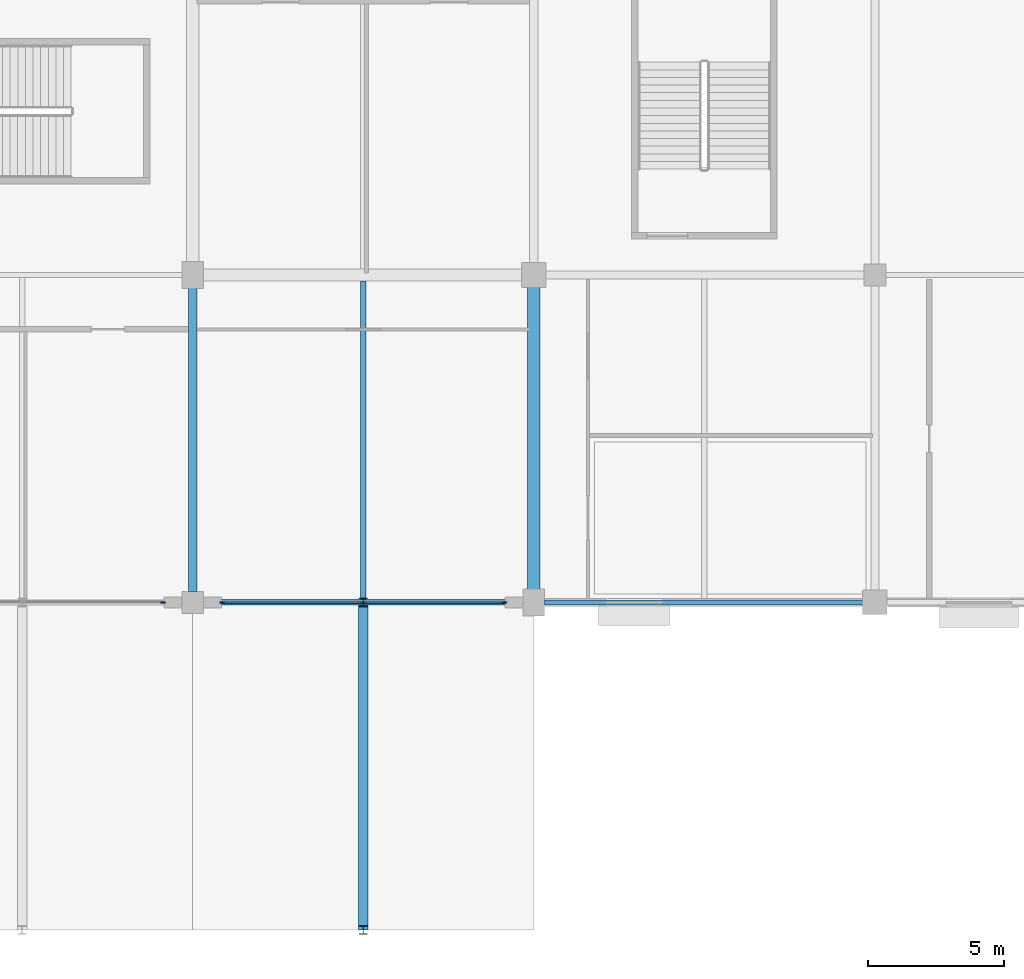
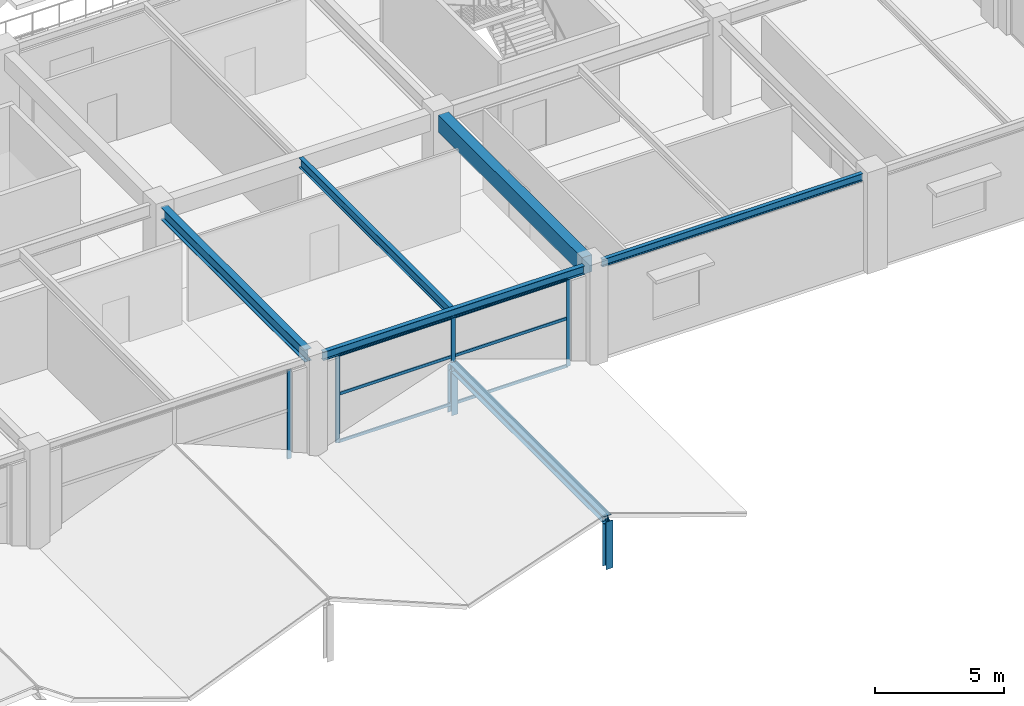
# One storey, part 31 of 134: 13 members, 5 beams, 2 elements without a shape of their own.
"""IFC4 building model written with IfcOpenShell, lengths in metres."""

from ifc_helpers import new_model, si_unit, direction, frame, origin, origin_2d, place, context, subcontext, project, spatial, rectangle, i_section, extrude, material, layer, layer_set, material_profile, profile_set, type_object, element, aggregate, save


model = new_model("IFC4")

# Units and contexts
model_context = context("Model", 3, precision=1e-05, world=origin(), true_north=direction((0.0, 1.0)))
body_context = subcontext(model_context, "Body", "Model", "MODEL_VIEW")
ifc_project = project(units=[si_unit("LENGTHUNIT", "METRE"), si_unit("AREAUNIT", "SQUARE_METRE"), si_unit("VOLUMEUNIT", "CUBIC_METRE"), si_unit("PLANEANGLEUNIT", "RADIAN"), si_unit("MASSUNIT", "GRAM", prefix="KILO")], contexts=[model_context])

# Site, building, storey
site_placement = place(None, origin())
site = spatial("IfcSite", under=ifc_project, at=site_placement, CompositionType="ELEMENT")
building_placement = place(site_placement, origin())
building = spatial("IfcBuilding", under=site, at=building_placement, Name="Kazenohara Klinker Stadium", CompositionType="ELEMENT")
storey_placement = place(building_placement, frame((0.0, 0.0, 5.39990234375)))
storey = spatial("IfcBuildingStorey", under=building, at=storey_placement, Name="L01", CompositionType="ELEMENT", Elevation=5.39990234375)

# Beams
ifc_material_1 = material(Name="Steel S355", Category="steel")
ifc_material_profile_1 = material_profile(ifc_material_1, i_section(OverallWidth=0.199951171875, OverallDepth=0.449951171875, WebThickness=0.009033203125, FlangeThickness=0.013916015625, FilletRadius=0.012939453125, at=origin_2d()), Name="H-450x200x9x14")
ifc_profile_set_1 = profile_set([ifc_material_profile_1], Name="Steel S355")
beam_type_1 = type_object("IfcBeamType", Name="BM-JST02", PredefinedType="JOIST", material=ifc_profile_set_1)
beam_1_placement = place(storey_placement, frame((168.75, 12.10009765625, 4.3251953125), z_axis=(0.0, 1.0, 0.0), x_axis=(-1.0, 0.0, 0.0)))
element("IfcBeam", 1, at=beam_1_placement, inside=storey, type_object=beam_type_1, Name="Secondary floor joist SJ02 L01 14/B", PredefinedType="JOIST", context=body_context, shape_type="SweptSolid", body=[
    extrude(i_section(OverallWidth=0.199951171875, OverallDepth=0.449951171875, WebThickness=0.009033203125, FlangeThickness=0.013916015625, FilletRadius=0.012939453125, at=origin_2d()), origin(), (0.0, 0.0, 1.0), 11.6748046875),
])
ifc_material_2 = material(Name="Concrete C40/50", Category="concrete")
ifc_material_profile_2 = material_profile(ifc_material_2, rectangle(XDim=0.449951171875, YDim=0.800048828125, at=origin_2d()), Name="RC-BM-450x800")
ifc_profile_set_2 = profile_set([ifc_material_profile_2], Name="Concrete C40/50")
beam_type_2 = type_object("IfcBeamType", Name="BM-RC03", PredefinedType="BEAM", material=ifc_profile_set_2)
beam_2_placement = place(storey_placement, frame((175.0, 12.419921875, 4.150146484375), z_axis=(0.0, 1.0, 0.0), x_axis=(-1.0, 0.0, 0.0)))
element("IfcBeam", 2, at=beam_2_placement, inside=storey, type_object=beam_type_2, Name="Primary girder BG03 L01 15/B-C", PredefinedType="BEAM", context=body_context, shape_type="SweptSolid", body=[
    extrude(rectangle(XDim=0.449951171875, YDim=0.800048828125, at=origin_2d()), origin(), (0.0, 0.0, 1.0), 11.16015625),
])
ifc_material_profile_3 = material_profile(ifc_material_1, i_section(OverallWidth=0.199951171875, OverallDepth=0.39990234375, WebThickness=0.008056640625, FlangeThickness=0.012939453125, FilletRadius=0.012939453125, at=origin_2d()), Name="H-400x200x8x13")
ifc_profile_set_3 = profile_set([ifc_material_profile_3], Name="Steel S355")
beam_type_3 = type_object("IfcBeamType", Name="BM-SPD01", PredefinedType="SPANDREL", material=ifc_profile_set_3)
beam_3_placement = place(storey_placement, frame((162.89990234375, 12.0, 4.35009765625), z_axis=(1.0, 0.0, 0.0), x_axis=(0.0, 1.0, 0.0)))
element("IfcBeam", 3, at=beam_3_placement, inside=storey, type_object=beam_type_3, Name="Primary girder SP01 L01 14-15/B", PredefinedType="SPANDREL", context=body_context, shape_type="SweptSolid", body=[
    extrude(i_section(OverallWidth=0.199951171875, OverallDepth=0.39990234375, WebThickness=0.008056640625, FlangeThickness=0.012939453125, FilletRadius=0.012939453125, at=origin_2d()), origin(), (0.0, 0.0, 1.0), 11.7001953125),
])
ifc_material_profile_4 = material_profile(ifc_material_1, i_section(OverallWidth=0.175048828125, OverallDepth=0.35009765625, WebThickness=0.007080078125, FlangeThickness=0.010986328125, FilletRadius=0.012939453125, at=origin_2d()), Name="H-350x175x7x11")
ifc_profile_set_4 = profile_set([ifc_material_profile_4], Name="Steel S355")
beam_type_4 = type_object("IfcBeamType", Name="BM-SPD02", PredefinedType="SPANDREL", material=ifc_profile_set_4)
beam_4_placement = place(storey_placement, frame((175.39990234375, 12.0, 4.375), z_axis=(1.0, 0.0, 0.0), x_axis=(0.0, 1.0, 0.0)))
element("IfcBeam", 4, at=beam_4_placement, inside=storey, type_object=beam_type_4, Name="Primary girder SP02 L01 15-16/B", PredefinedType="SPANDREL", context=body_context, shape_type="SweptSolid", body=[
    extrude(i_section(OverallWidth=0.175048828125, OverallDepth=0.35009765625, WebThickness=0.007080078125, FlangeThickness=0.010986328125, FilletRadius=0.012939453125, at=origin_2d()), origin(), (0.0, 0.0, 1.0), 11.68017578125),
])
ifc_material_profile_5 = material_profile(ifc_material_1, i_section(OverallWidth=0.300048828125, OverallDepth=0.587890625, WebThickness=0.011962890625, FlangeThickness=0.02001953125, FilletRadius=0.02197265625, at=origin_2d()), Name="H-588x300x12x20")
ifc_profile_set_5 = profile_set([ifc_material_profile_5], Name="Steel S355")
beam_type_5 = type_object("IfcBeamType", Name="BM-ST05", PredefinedType="BEAM", material=ifc_profile_set_5)
beam_5_placement = place(storey_placement, frame((162.5, 12.39990234375, 4.256103515625), z_axis=(0.0, 1.0, 0.0), x_axis=(-1.0, 0.0, 0.0)))
element("IfcBeam", 5, at=beam_5_placement, inside=storey, type_object=beam_type_5, Name="Primary girder SB05 L01 14/B-C", PredefinedType="BEAM", context=body_context, shape_type="SweptSolid", body=[
    extrude(i_section(OverallWidth=0.300048828125, OverallDepth=0.587890625, WebThickness=0.011962890625, FlangeThickness=0.02001953125, FilletRadius=0.02197265625, at=origin_2d()), origin(), (0.0, 0.0, 1.0), 11.18017578125),
])

# Curtain wall, member
ifc_material_3 = material(Name="Anodised aluminium and triple glazing", Category="aluminium")
ifc_layer_1 = layer(ifc_material_3, 0.169921875)
ifc_layer_set_1 = layer_set([ifc_layer_1], Name="Anodised aluminium and triple glazing")
curtain_wall_type_1 = type_object("IfcCurtainWallType", Name="CW-SYS-04", PredefinedType="USERDEFINED", material=ifc_layer_set_1)
curtain_wall_1_placement = place(storey_placement, origin())
curtain_wall_1 = element("IfcCurtainWall", 6, at=curtain_wall_1_placement, inside=storey, type_object=curtain_wall_type_1, Name="Unitised facade curtain wall CW04 L01 X12-1", ObjectType="UNITISED CURTAIN WALL", PredefinedType="USERDEFINED")
ifc_material_4 = material(Name="Anodised aluminium 6063-T6", Category="aluminium")
ifc_material_profile_6 = material_profile(ifc_material_4, rectangle(XDim=0.06494140625, YDim=0.179931640625, at=origin_2d()), Name="ALU-MUL-65x180")
ifc_profile_set_6 = profile_set([ifc_material_profile_6], Name="Anodised aluminium 6063-T6")
member_type_1 = type_object("IfcMemberType", Name="CW-MUL-180", PredefinedType="MULLION", material=ifc_profile_set_6)
member_1_placement = place(storey_placement, frame((161.41357421875, 12.0, 0.0), z_axis=(0.0, 0.0, 1.0), x_axis=(0.0, 1.0, 0.0)))
member_1 = element("IfcMember", 7, at=member_1_placement, type_object=member_type_1, Name="CW04 mullion 3", PredefinedType="MULLION", context=body_context, shape_type="SweptSolid", body=[
    extrude(rectangle(XDim=0.06494140625, YDim=0.179931640625, at=origin_2d()), origin(), (0.0, 0.0, 1.0), 4.2001953125),
])
aggregate(curtain_wall_1, [member_1])

# Curtain wall, members
ifc_layer_2 = layer(ifc_material_3, 0.159912109375)
ifc_layer_set_2 = layer_set([ifc_layer_2], Name="Anodised aluminium and triple glazing")
curtain_wall_type_2 = type_object("IfcCurtainWallType", Name="CW-SYS-01", PredefinedType="USERDEFINED", material=ifc_layer_set_2)
curtain_wall_2_placement = place(storey_placement, origin())
curtain_wall_2 = element("IfcCurtainWall", 8, at=curtain_wall_2_placement, inside=storey, type_object=curtain_wall_type_2, Name="Unitised facade curtain wall CW01 L01 X13-1", ObjectType="UNITISED CURTAIN WALL", PredefinedType="USERDEFINED")
member_2_placement = place(storey_placement, frame((163.58642578125, 12.0, 0.0), z_axis=(0.0, 0.0, 1.0), x_axis=(0.0, 1.0, 0.0)))
member_2 = element("IfcMember", 9, at=member_2_placement, type_object=member_type_1, Name="CW01 mullion 1", PredefinedType="MULLION", context=body_context, shape_type="SweptSolid", body=[
    extrude(rectangle(XDim=0.06494140625, YDim=0.179931640625, at=origin_2d()), origin(), (0.0, 0.0, 1.0), 4.150146484375),
])
member_3_placement = place(storey_placement, frame((168.75, 12.0, 0.0), z_axis=(0.0, 0.0, 1.0), x_axis=(0.0, 1.0, 0.0)))
member_3 = element("IfcMember", 10, at=member_3_placement, type_object=member_type_1, Name="CW01 mullion 2", PredefinedType="MULLION", context=body_context, shape_type="SweptSolid", body=[
    extrude(rectangle(XDim=0.06494140625, YDim=0.179931640625, at=origin_2d()), origin(), (0.0, 0.0, 1.0), 4.150146484375),
])
member_4_placement = place(storey_placement, frame((173.91357421875, 12.0, 0.0), z_axis=(0.0, 0.0, 1.0), x_axis=(0.0, 1.0, 0.0)))
member_4 = element("IfcMember", 11, at=member_4_placement, type_object=member_type_1, Name="CW01 mullion 3", PredefinedType="MULLION", context=body_context, shape_type="SweptSolid", body=[
    extrude(rectangle(XDim=0.06494140625, YDim=0.179931640625, at=origin_2d()), origin(), (0.0, 0.0, 1.0), 4.150146484375),
])
ifc_material_profile_7 = material_profile(ifc_material_4, rectangle(XDim=0.06494140625, YDim=0.139892578125, at=origin_2d()), Name="ALU-TRN-65x140")
ifc_profile_set_7 = profile_set([ifc_material_profile_7], Name="Anodised aluminium 6063-T6")
member_type_2 = type_object("IfcMemberType", Name="CW-TRN-140", PredefinedType="USERDEFINED", material=ifc_profile_set_7)
member_5_placement = place(storey_placement, frame((163.618896484375, 12.0, 0.03271484375), z_axis=(1.0, 0.0, 0.0), x_axis=(0.0, 1.0, 0.0)))
member_5 = element("IfcMember", 12, at=member_5_placement, type_object=member_type_2, Name="CW01 transom 1.1", ObjectType="TRANSOM", PredefinedType="USERDEFINED", context=body_context, shape_type="SweptSolid", body=[
    extrude(rectangle(XDim=0.06494140625, YDim=0.139892578125, at=origin_2d()), origin(), (0.0, 0.0, 1.0), 5.0986328125),
])
member_6_placement = place(storey_placement, frame((163.618896484375, 12.0, 2.28271484375), z_axis=(1.0, 0.0, 0.0), x_axis=(0.0, 1.0, 0.0)))
member_6 = element("IfcMember", 13, at=member_6_placement, type_object=member_type_2, Name="CW01 transom 1.2", ObjectType="TRANSOM", PredefinedType="USERDEFINED", context=body_context, shape_type="SweptSolid", body=[
    extrude(rectangle(XDim=0.06494140625, YDim=0.139892578125, at=origin_2d()), origin(), (0.0, 0.0, 1.0), 5.0986328125),
])
member_7_placement = place(storey_placement, frame((163.618896484375, 12.0, 4.11767578125), z_axis=(1.0, 0.0, 0.0), x_axis=(0.0, 1.0, 0.0)))
member_7 = element("IfcMember", 14, at=member_7_placement, type_object=member_type_2, Name="CW01 transom 1.3", ObjectType="TRANSOM", PredefinedType="USERDEFINED", context=body_context, shape_type="SweptSolid", body=[
    extrude(rectangle(XDim=0.06494140625, YDim=0.139892578125, at=origin_2d()), origin(), (0.0, 0.0, 1.0), 5.0986328125),
])
member_8_placement = place(storey_placement, frame((168.782470703125, 12.0, 0.03271484375), z_axis=(1.0, 0.0, 0.0), x_axis=(0.0, 1.0, 0.0)))
member_8 = element("IfcMember", 15, at=member_8_placement, type_object=member_type_2, Name="CW01 transom 2.1", ObjectType="TRANSOM", PredefinedType="USERDEFINED", context=body_context, shape_type="SweptSolid", body=[
    extrude(rectangle(XDim=0.06494140625, YDim=0.139892578125, at=origin_2d()), origin(), (0.0, 0.0, 1.0), 5.0986328125),
])
member_9_placement = place(storey_placement, frame((168.782470703125, 12.0, 2.28271484375), z_axis=(1.0, 0.0, 0.0), x_axis=(0.0, 1.0, 0.0)))
member_9 = element("IfcMember", 16, at=member_9_placement, type_object=member_type_2, Name="CW01 transom 2.2", ObjectType="TRANSOM", PredefinedType="USERDEFINED", context=body_context, shape_type="SweptSolid", body=[
    extrude(rectangle(XDim=0.06494140625, YDim=0.139892578125, at=origin_2d()), origin(), (0.0, 0.0, 1.0), 5.0986328125),
])
member_10_placement = place(storey_placement, frame((168.782470703125, 12.0, 4.11767578125), z_axis=(1.0, 0.0, 0.0), x_axis=(0.0, 1.0, 0.0)))
member_10 = element("IfcMember", 17, at=member_10_placement, type_object=member_type_2, Name="CW01 transom 2.3", ObjectType="TRANSOM", PredefinedType="USERDEFINED", context=body_context, shape_type="SweptSolid", body=[
    extrude(rectangle(XDim=0.06494140625, YDim=0.139892578125, at=origin_2d()), origin(), (0.0, 0.0, 1.0), 5.0986328125),
])
aggregate(curtain_wall_2, [member_2, member_3, member_4, member_5, member_6, member_7, member_8, member_9, member_10])

# Members
ifc_material_profile_8 = material_profile(ifc_material_1, i_section(OverallWidth=0.35009765625, OverallDepth=0.35009765625, WebThickness=0.011962890625, FlangeThickness=0.01904296875, FilletRadius=0.012939453125, at=origin_2d()), Name="H-350x350x12x19")
ifc_profile_set_8 = profile_set([ifc_material_profile_8], Name="Steel S355")
member_type_3 = type_object("IfcMemberType", Name="MEM-CHD02", PredefinedType="CHORD", material=ifc_profile_set_8)
member_11_placement = place(storey_placement, frame((168.75, 0.0, 1.830078125), z_axis=(0.0, 1.0, 0.0), x_axis=(-1.0, 0.0, 0.0)))
element("IfcMember", 18, at=member_11_placement, inside=storey, type_object=member_type_3, Name="Stepped pavilion gable ridge beam L01 14/A", PredefinedType="CHORD", context=body_context, shape_type="SweptSolid", body=[
    extrude(i_section(OverallWidth=0.35009765625, OverallDepth=0.35009765625, WebThickness=0.011962890625, FlangeThickness=0.01904296875, FilletRadius=0.012939453125, at=origin_2d()), origin(), (0.0, 0.0, 1.0), 12.0),
])
ifc_material_profile_9 = material_profile(ifc_material_1, i_section(OverallWidth=0.300048828125, OverallDepth=0.300048828125, WebThickness=0.010009765625, FlangeThickness=0.014892578125, FilletRadius=0.012939453125, at=origin_2d()), Name="H-300x300x10x15")
ifc_profile_set_9 = profile_set([ifc_material_profile_9], Name="Steel S355")
member_type_4 = type_object("IfcMemberType", Name="MEM-STR01", PredefinedType="STRUT", material=ifc_profile_set_9)
for number, where, z_axis, x_axis, name in (
    (19, (168.75, 0.0, -0.429931640625), (0.0, 0.0, 1.0), (1.0, 0.0, 0.0), "Stepped pavilion gable king-post L01 14/A S"),
    (20, (168.75, 12.0, -0.429931640625), (0.0, 0.0, 1.0), (1.0, 0.0, 0.0), "Stepped pavilion gable king-post L01 14/A N"),
):
    element("IfcMember", number, at=place(storey_placement, frame(where, z_axis=z_axis, x_axis=x_axis)), inside=storey, type_object=member_type_4, Name=name, PredefinedType="STRUT", context=body_context, shape_type="SweptSolid", body=[
        extrude(i_section(OverallWidth=0.300048828125, OverallDepth=0.300048828125, WebThickness=0.010009765625, FlangeThickness=0.014892578125, FilletRadius=0.012939453125, at=origin_2d()), origin(), (0.0, 0.0, 1.0), 2.260009765625),
    ])

save(model, "model.ifc")
